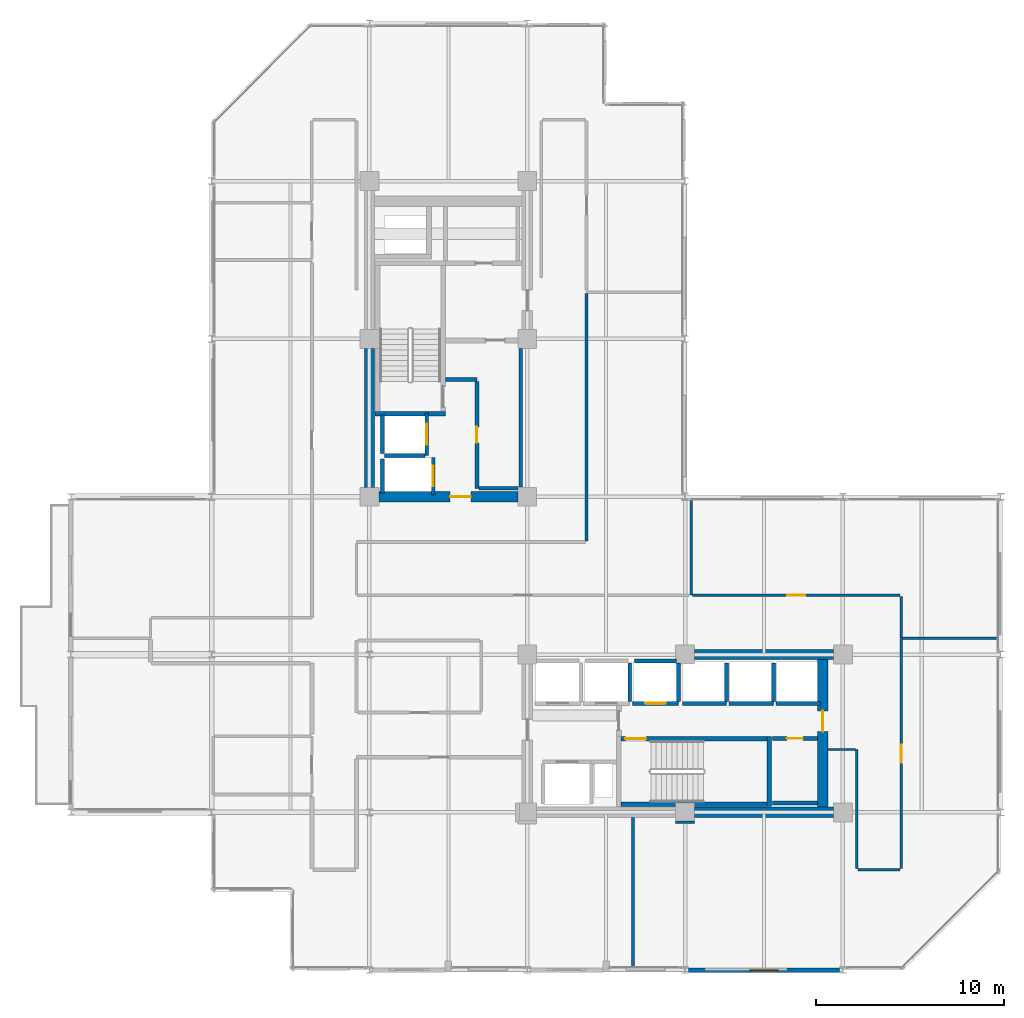
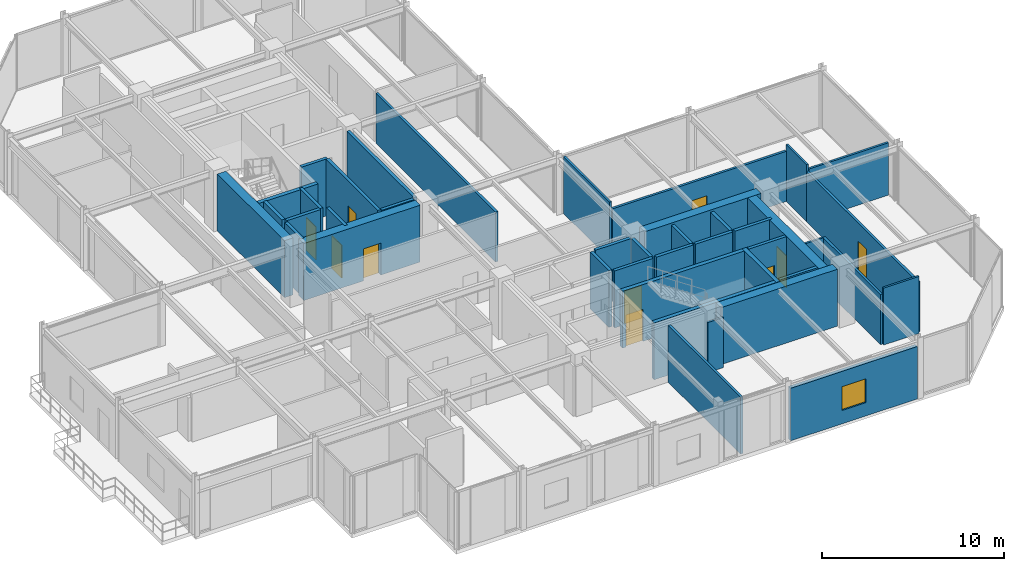
# One storey, part 25 of 29: 41 walls, 10 doors, 1 window, 11 openings.
"""IFC4 building model written with IfcOpenShell, lengths in metres."""

from ifc_helpers import new_model, si_unit, direction, frame, frame_2d, origin, place, context, subcontext, project, spatial, rectangle, extrude, material, layer, layer_set, type_object, element, fill, save


model = new_model("IFC4")

# Units and contexts
model_context = context("Model", 3, precision=1e-05, world=origin(), true_north=direction((0.0, 1.0)))
body_context = subcontext(model_context, "Body", "Model", "MODEL_VIEW")
ifc_project = project(units=[si_unit("LENGTHUNIT", "METRE"), si_unit("AREAUNIT", "SQUARE_METRE"), si_unit("VOLUMEUNIT", "CUBIC_METRE"), si_unit("PLANEANGLEUNIT", "RADIAN"), si_unit("MASSUNIT", "GRAM", prefix="KILO")], contexts=[model_context])

# Site, building, storey
site_placement = place(None, origin())
site = spatial("IfcSite", under=ifc_project, at=site_placement, CompositionType="ELEMENT")
building_placement = place(site_placement, origin())
building = spatial("IfcBuilding", under=site, at=building_placement, Name="Nerrivon Quay Data Exchange", CompositionType="ELEMENT")
storey_placement = place(building_placement, frame((0.0, 0.0, 200.10009765625)))
storey = spatial("IfcBuildingStorey", under=building, at=storey_placement, Name="L47", CompositionType="ELEMENT", Elevation=200.10009765625)

# Wall, opening, window
ifc_material_1 = material(Name="Architectural terracotta precast concrete N50 (50 MPa)", Category="masonry")
ifc_layer_1 = layer(ifc_material_1, 0.239990234375)
ifc_layer_set_1 = layer_set([ifc_layer_1], Name="Architectural terracotta precast concrete N50 (50 MPa)")
wall_type_1 = type_object("IfcWallType", Name="EW-PREC-240", PredefinedType="STANDARD", material=ifc_layer_set_1)
wall_1_placement = place(storey_placement, frame((33.425048828125, 0.0, 0.0), z_axis=(0.0, 0.0, 1.0), x_axis=(-1.0, 0.0, 0.0)))
wall_1 = element("IfcWall", 1, at=wall_1_placement, inside=storey, type_object=wall_type_1, Name="L47 Podium Precast Spandrel Wall 23", PredefinedType="STANDARD", context=body_context, shape_type="SweptSolid", body=[
    extrude(rectangle(XDim=8.050048828125, YDim=0.239990234375, at=frame_2d((4.02490234375, 0.0))), origin(), (0.0, 0.0, 1.0), 3.52490234375),
])
opening_1_placement = place(wall_1_placement, frame((3.27490234375, 0.0, 0.89990234375)))
opening_1 = element("IfcOpeningElement", 2, at=opening_1_placement, cuts=wall_1, Name="Opening WN4", PredefinedType="OPENING", context=body_context, shape_type="SweptSolid", body=[
    extrude(rectangle(XDim=1.5, YDim=1.60009765625, at=frame_2d((0.75, 0.800048828125))), frame((0.0, 0.1298828125, 0.0), z_axis=(0.0, -1.0, 0.0), x_axis=(1.0, 0.0, 0.0)), (0.0, 0.0, 1.0), 0.260009765625),
])
ifc_material_2 = material(Name="Double-glazed low-E solar control glass", Category="glass")
window_type = type_object("IfcWindowType", Name="WIN-W4-1500x1600", PartitioningType="SINGLE_PANEL", PredefinedType="WINDOW", material=ifc_material_2)
window_placement = place(opening_1_placement, origin())
window = element("IfcWindow", 3, at=window_placement, inside=storey, type_object=window_type, Name="L47 Solar Facade Window 23", OverallHeight=1.60009765625, OverallWidth=1.5, PartitioningType="SINGLE_PANEL", PredefinedType="WINDOW", context=body_context, shape_type="SweptSolid", body=[
    extrude(rectangle(XDim=1.5, YDim=1.60009765625, at=frame_2d((0.75, 0.800048828125))), frame((0.0, 0.030029296875, 0.0), z_axis=(0.0, -1.0, 0.0), x_axis=(1.0, 0.0, 0.0)), (0.0, 0.0, 1.0), 0.06005859375),
])
fill(opening_1, window)

# Wall
ifc_material_3 = material(Name="Concrete S65 (65 MPa)", Category="concrete")
ifc_layer_2 = layer(ifc_material_3, 0.550048828125)
ifc_layer_set_2 = layer_set([ifc_layer_2], Name="Concrete S65 (65 MPa)")
wall_type_2 = type_object("IfcWallType", Name="WALL-CW-700", PredefinedType="SHEAR", material=ifc_layer_set_2)
wall_2_placement = place(storey_placement, frame((8.39990234375, 25.699951171875, 0.0), z_axis=(0.0, 0.0, 1.0), x_axis=(0.0, 1.0, 0.0)))
element("IfcWall", 4, at=wall_2_placement, inside=storey, type_object=wall_type_2, Name="L47 West Split-Core Shear Wall WCW-W1", PredefinedType="SHEAR", context=body_context, shape_type="SweptSolid", body=[
    extrude(rectangle(XDim=7.400146484375, YDim=0.550048828125, at=frame_2d((3.7001953125, 0.0))), origin(), (0.0, 0.0, 1.0), 3.824951171875),
])

# Wall, opening, door
wall_3_placement = place(storey_placement, frame((8.89990234375, 25.199951171875, 0.0), z_axis=(0.0, 0.0, 1.0), x_axis=(1.0, 0.0, 0.0)))
wall_3 = element("IfcWall", 5, at=wall_3_placement, inside=storey, type_object=wall_type_2, Name="L47 West Split-Core Shear Wall WCW-S1", PredefinedType="SHEAR", context=body_context, shape_type="SweptSolid", body=[
    extrude(rectangle(XDim=7.400146484375, YDim=0.550048828125, at=frame_2d((3.7001953125, 0.0))), origin(), (0.0, 0.0, 1.0), 3.824951171875),
])
opening_2_placement = place(wall_3_placement, frame((3.800048828125, 0.0, 0.0)))
opening_2 = element("IfcOpeningElement", 6, at=opening_2_placement, cuts=wall_3, Name="Opening FD-120", PredefinedType="OPENING", context=body_context, shape_type="SweptSolid", body=[
    extrude(rectangle(XDim=1.10009765625, YDim=2.14990234375, at=frame_2d((0.550048828125, 1.074951171875))), frame((0.0, 0.284912109375, 0.0), z_axis=(0.0, -1.0, 0.0), x_axis=(1.0, 0.0, 0.0)), (0.0, 0.0, 1.0), 0.570068359375),
])
ifc_material_4 = material(Name="Powder-coated galvanized steel sheet", Category="steel")
door_type_1 = type_object("IfcDoorType", Name="DR-FD120-1100", OperationType="NOTDEFINED", PredefinedType="DOOR", material=ifc_material_4)
door_1_placement = place(opening_2_placement, origin())
door_1 = element("IfcDoor", 7, at=door_1_placement, inside=storey, type_object=door_type_1, Name="L47 West Core Lobby Fire Door", OperationType="SINGLE_SWING_RIGHT", OverallHeight=2.14990234375, OverallWidth=1.10009765625, PredefinedType="DOOR", context=body_context, shape_type="SweptSolid", body=[
    extrude(rectangle(XDim=1.10009765625, YDim=2.14990234375, at=frame_2d((0.550048828125, 1.074951171875))), frame((0.0, 0.02490234375, 0.0), z_axis=(0.0, -1.0, 0.0), x_axis=(1.0, 0.0, 0.0)), (0.0, 0.0, 1.0), 0.050048828125),
])
fill(opening_2, door_1)

# Wall
wall_4_placement = place(storey_placement, frame((25.699951171875, 8.39990234375, 0.0), z_axis=(0.0, 0.0, 1.0), x_axis=(1.0, 0.0, 0.0)))
element("IfcWall", 8, at=wall_4_placement, inside=storey, type_object=wall_type_2, Name="L47 East Split-Core Shear Wall ECW-S2", PredefinedType="SHEAR", context=body_context, shape_type="SweptSolid", body=[
    extrude(rectangle(XDim=7.400146484375, YDim=0.550048828125, at=frame_2d((3.7001953125, 0.0))), origin(), (0.0, 0.0, 1.0), 3.824951171875),
])

# Wall, opening, door
wall_5_placement = place(storey_placement, frame((32.52490234375, 8.675048828125, 0.0), z_axis=(0.0, 0.0, 1.0), x_axis=(0.0, 1.0, 0.0)))
wall_5 = element("IfcWall", 9, at=wall_5_placement, inside=storey, type_object=wall_type_2, Name="L47 East Split-Core Shear Wall ECW-E1", PredefinedType="SHEAR", context=body_context, shape_type="SweptSolid", body=[
    extrude(rectangle(XDim=7.849853515625, YDim=0.550048828125, at=frame_2d((3.9248046875, 0.0))), origin(), (0.0, 0.0, 1.0), 3.824951171875),
])
opening_3_placement = place(wall_5_placement, frame((4.02490234375, 0.0, 0.0)))
opening_3 = element("IfcOpeningElement", 10, at=opening_3_placement, cuts=wall_5, Name="Opening FD-120", PredefinedType="OPENING", context=body_context, shape_type="SweptSolid", body=[
    extrude(rectangle(XDim=1.10009765625, YDim=2.14990234375, at=frame_2d((0.550048828125, 1.074951171875))), frame((0.0, 0.284912109375, 0.0), z_axis=(0.0, -1.0, 0.0), x_axis=(1.0, 0.0, 0.0)), (0.0, 0.0, 1.0), 0.570068359375),
])
door_2_placement = place(opening_3_placement, origin())
door_2 = element("IfcDoor", 11, at=door_2_placement, inside=storey, type_object=door_type_1, Name="L47 East Core Lobby Fire Door", OperationType="SINGLE_SWING_LEFT", OverallHeight=2.14990234375, OverallWidth=1.10009765625, PredefinedType="DOOR", context=body_context, shape_type="SweptSolid", body=[
    extrude(rectangle(XDim=1.10009765625, YDim=2.14990234375, at=frame_2d((0.550048828125, 1.074951171875))), frame((0.0, 0.02490234375, 0.0), z_axis=(0.0, -1.0, 0.0), x_axis=(1.0, 0.0, 0.0)), (0.0, 0.0, 1.0), 0.050048828125),
])
fill(opening_3, door_2)

# Wall
wall_6_placement = place(storey_placement, frame((25.699951171875, 16.800048828125, 0.0), z_axis=(0.0, 0.0, 1.0), x_axis=(1.0, 0.0, 0.0)))
element("IfcWall", 12, at=wall_6_placement, inside=storey, type_object=wall_type_2, Name="L47 East Split-Core Shear Wall ECW-N1", PredefinedType="SHEAR", context=body_context, shape_type="SweptSolid", body=[
    extrude(rectangle(XDim=7.400146484375, YDim=0.550048828125, at=frame_2d((3.7001953125, 0.0))), origin(), (0.0, 0.0, 1.0), 3.824951171875),
])

# Wall, opening, door
ifc_material_5 = material(Name="Gypsum plasterboard on cold-formed framing", Category="gypsum")
ifc_layer_3 = layer(ifc_material_5, 0.199951171875)
ifc_layer_set_3 = layer_set([ifc_layer_3], Name="Gypsum plasterboard on cold-formed framing")
wall_type_3 = type_object("IfcWallType", Name="WALL-FW-200", PredefinedType="PARTITIONING", material=ifc_layer_set_3)
wall_7_placement = place(storey_placement, frame((11.449951171875, 27.39990234375, 0.0), z_axis=(0.0, 0.0, 1.0), x_axis=(0.0, 1.0, 0.0)))
wall_7 = element("IfcWall", 13, at=wall_7_placement, inside=storey, type_object=wall_type_3, Name="L47 Lift Front Wall FFL-1", PredefinedType="PARTITIONING", context=body_context, shape_type="SweptSolid", body=[
    extrude(rectangle(XDim=2.25, YDim=0.199951171875, at=frame_2d((1.125, 0.0))), origin(), (0.0, 0.0, 1.0), 3.824951171875),
])
opening_4_placement = place(wall_7_placement, frame((0.574951171875, 0.0, 0.0)))
opening_4 = element("IfcOpeningElement", 14, at=opening_4_placement, cuts=wall_7, Name="Opening LD-120", PredefinedType="OPENING", context=body_context, shape_type="SweptSolid", body=[
    extrude(rectangle(XDim=1.10009765625, YDim=2.199951171875, at=frame_2d((0.550048828125, 1.10009765625))), frame((0.0, 0.10986328125, 0.0), z_axis=(0.0, -1.0, 0.0), x_axis=(1.0, 0.0, 0.0)), (0.0, 0.0, 1.0), 0.219970703125),
])
door_type_2 = type_object("IfcDoorType", Name="DR-LIFT-LD120", OperationType="DOUBLE_DOOR_SLIDING", PredefinedType="DOOR", material=ifc_material_4)
door_3_placement = place(opening_4_placement, origin())
door_3 = element("IfcDoor", 15, at=door_3_placement, inside=storey, type_object=door_type_2, Name="L47 Lift Landing Sliding Door FFL-1", OperationType="DOUBLE_DOOR_SLIDING", OverallHeight=2.199951171875, OverallWidth=1.10009765625, PredefinedType="DOOR", context=body_context, shape_type="SweptSolid", body=[
    extrude(rectangle(XDim=1.10009765625, YDim=2.199951171875, at=frame_2d((0.550048828125, 1.10009765625))), frame((0.0, 0.02490234375, 0.0), z_axis=(0.0, -1.0, 0.0), x_axis=(1.0, 0.0, 0.0)), (0.0, 0.0, 1.0), 0.050048828125),
])
fill(opening_4, door_3)

# Walls
wall_8_placement = place(storey_placement, frame((9.10009765625, 27.5, 0.0), z_axis=(0.0, 0.0, 1.0), x_axis=(0.0, 1.0, 0.0)))
element("IfcWall", 16, at=wall_8_placement, inside=storey, type_object=wall_type_3, Name="L47 Lift Shaft Wall FFL-1 WEST", PredefinedType="PARTITIONING", context=body_context, shape_type="SweptSolid", body=[
    extrude(rectangle(XDim=2.050048828125, YDim=0.199951171875, at=frame_2d((1.02490234375, 0.0))), origin(), (0.0, 0.0, 1.0), 3.824951171875),
])
wall_9_placement = place(storey_placement, frame((9.199951171875, 27.39990234375, 0.0), z_axis=(0.0, 0.0, 1.0), x_axis=(1.0, 0.0, 0.0)))
element("IfcWall", 17, at=wall_9_placement, inside=storey, type_object=wall_type_3, Name="L47 Lift Shaft Wall FFL-1 SOUTH", PredefinedType="PARTITIONING", context=body_context, shape_type="SweptSolid", body=[
    extrude(rectangle(XDim=2.150146484375, YDim=0.199951171875, at=frame_2d((1.0751953125, 0.0))), origin(), (0.0, 0.0, 1.0), 3.824951171875),
])

# Wall, opening, door
wall_10_placement = place(storey_placement, frame((11.800048828125, 25.300048828125, 0.0), z_axis=(0.0, 0.0, 1.0), x_axis=(0.0, 1.0, 0.0)))
wall_10 = element("IfcWall", 18, at=wall_10_placement, inside=storey, type_object=wall_type_3, Name="L47 Lift Front Wall SVL-1", PredefinedType="PARTITIONING", context=body_context, shape_type="SweptSolid", body=[
    extrude(rectangle(XDim=2.0, YDim=0.199951171875, at=frame_2d((1.0, 0.0))), origin(), (0.0, 0.0, 1.0), 3.824951171875),
])
opening_5_placement = place(wall_10_placement, frame((0.449951171875, 0.0, 0.0)))
opening_5 = element("IfcOpeningElement", 19, at=opening_5_placement, cuts=wall_10, Name="Opening LD-120", PredefinedType="OPENING", context=body_context, shape_type="SweptSolid", body=[
    extrude(rectangle(XDim=1.10009765625, YDim=2.199951171875, at=frame_2d((0.550048828125, 1.10009765625))), frame((0.0, 0.10986328125, 0.0), z_axis=(0.0, -1.0, 0.0), x_axis=(1.0, 0.0, 0.0)), (0.0, 0.0, 1.0), 0.219970703125),
])
door_4_placement = place(opening_5_placement, origin())
door_4 = element("IfcDoor", 20, at=door_4_placement, inside=storey, type_object=door_type_2, Name="L47 Lift Landing Sliding Door SVL-1", OperationType="DOUBLE_DOOR_SLIDING", OverallHeight=2.199951171875, OverallWidth=1.10009765625, PredefinedType="DOOR", context=body_context, shape_type="SweptSolid", body=[
    extrude(rectangle(XDim=1.10009765625, YDim=2.199951171875, at=frame_2d((0.550048828125, 1.10009765625))), frame((0.0, 0.02490234375, 0.0), z_axis=(0.0, -1.0, 0.0), x_axis=(1.0, 0.0, 0.0)), (0.0, 0.0, 1.0), 0.050048828125),
])
fill(opening_5, door_4)

# Walls
wall_11_placement = place(storey_placement, frame((9.10009765625, 25.39990234375, 0.0), z_axis=(0.0, 0.0, 1.0), x_axis=(0.0, 1.0, 0.0)))
element("IfcWall", 21, at=wall_11_placement, inside=storey, type_object=wall_type_3, Name="L47 Lift Shaft Wall SVL-1 WEST", PredefinedType="PARTITIONING", context=body_context, shape_type="SweptSolid", body=[
    extrude(rectangle(XDim=1.800048828125, YDim=0.199951171875, at=frame_2d((0.89990234375, 0.0))), origin(), (0.0, 0.0, 1.0), 3.824951171875),
])
wall_12_placement = place(storey_placement, frame((22.25, 14.300048828125, 0.0), z_axis=(0.0, 0.0, 1.0), x_axis=(0.0, 1.0, 0.0)))
element("IfcWall", 22, at=wall_12_placement, inside=storey, type_object=wall_type_3, Name="L47 Lift Shaft Wall PL5 EAST", PredefinedType="PARTITIONING", context=body_context, shape_type="SweptSolid", body=[
    extrude(rectangle(XDim=2.050048828125, YDim=0.199951171875, at=frame_2d((1.02490234375, 0.0))), origin(), (0.0, 0.0, 1.0), 3.824951171875),
])

# Wall, opening, door
wall_13_placement = place(storey_placement, frame((22.39990234375, 14.199951171875, 0.0), z_axis=(0.0, 0.0, 1.0), x_axis=(1.0, 0.0, 0.0)))
wall_13 = element("IfcWall", 23, at=wall_13_placement, inside=storey, type_object=wall_type_3, Name="L47 Lift Front Wall PL6", PredefinedType="PARTITIONING", context=body_context, shape_type="SweptSolid", body=[
    extrude(rectangle(XDim=2.4501953125, YDim=0.199951171875, at=frame_2d((1.22509765625, 0.0))), origin(), (0.0, 0.0, 1.0), 3.824951171875),
])
opening_6_placement = place(wall_13_placement, frame((0.675048828125, 0.0, 0.0)))
opening_6 = element("IfcOpeningElement", 24, at=opening_6_placement, cuts=wall_13, Name="Opening LD-120", PredefinedType="OPENING", context=body_context, shape_type="SweptSolid", body=[
    extrude(rectangle(XDim=1.10009765625, YDim=2.199951171875, at=frame_2d((0.550048828125, 1.10009765625))), frame((0.0, 0.10986328125, 0.0), z_axis=(0.0, -1.0, 0.0), x_axis=(1.0, 0.0, 0.0)), (0.0, 0.0, 1.0), 0.219970703125),
])
door_5_placement = place(opening_6_placement, origin())
door_5 = element("IfcDoor", 25, at=door_5_placement, inside=storey, type_object=door_type_2, Name="L47 Lift Landing Sliding Door PL6", OperationType="DOUBLE_DOOR_SLIDING", OverallHeight=2.199951171875, OverallWidth=1.10009765625, PredefinedType="DOOR", context=body_context, shape_type="SweptSolid", body=[
    extrude(rectangle(XDim=1.10009765625, YDim=2.199951171875, at=frame_2d((0.550048828125, 1.10009765625))), frame((0.0, 0.02490234375, 0.0), z_axis=(0.0, -1.0, 0.0), x_axis=(1.0, 0.0, 0.0)), (0.0, 0.0, 1.0), 0.050048828125),
])
fill(opening_6, door_5)

# Walls
wall_14_placement = place(storey_placement, frame((24.85009765625, 14.300048828125, 0.0), z_axis=(0.0, 0.0, 1.0), x_axis=(0.0, 1.0, 0.0)))
element("IfcWall", 26, at=wall_14_placement, inside=storey, type_object=wall_type_3, Name="L47 Lift Shaft Wall PL6 EAST", PredefinedType="PARTITIONING", context=body_context, shape_type="SweptSolid", body=[
    extrude(rectangle(XDim=2.050048828125, YDim=0.199951171875, at=frame_2d((1.02490234375, 0.0))), origin(), (0.0, 0.0, 1.0), 3.824951171875),
])
wall_15_placement = place(storey_placement, frame((22.5, 16.449951171875, 0.0), z_axis=(0.0, 0.0, 1.0), x_axis=(1.0, 0.0, 0.0)))
element("IfcWall", 27, at=wall_15_placement, inside=storey, type_object=wall_type_3, Name="L47 Lift Shaft Wall PL6 NORTH", PredefinedType="PARTITIONING", context=body_context, shape_type="SweptSolid", body=[
    extrude(rectangle(XDim=2.25, YDim=0.199951171875, at=frame_2d((1.125, 0.0))), origin(), (0.0, 0.0, 1.0), 3.824951171875),
])
wall_16_placement = place(storey_placement, frame((25.050048828125, 14.199951171875, 0.0), z_axis=(0.0, 0.0, 1.0), x_axis=(1.0, 0.0, 0.0)))
element("IfcWall", 28, at=wall_16_placement, inside=storey, type_object=wall_type_3, Name="L47 Lift Front Wall PL7", PredefinedType="PARTITIONING", context=body_context, shape_type="SweptSolid", body=[
    extrude(rectangle(XDim=2.349853515625, YDim=0.199951171875, at=frame_2d((1.1748046875, 0.0))), origin(), (0.0, 0.0, 1.0), 3.824951171875),
])
wall_17_placement = place(storey_placement, frame((27.39990234375, 14.300048828125, 0.0), z_axis=(0.0, 0.0, 1.0), x_axis=(0.0, 1.0, 0.0)))
element("IfcWall", 29, at=wall_17_placement, inside=storey, type_object=wall_type_3, Name="L47 Lift Shaft Wall PL7 EAST", PredefinedType="PARTITIONING", context=body_context, shape_type="SweptSolid", body=[
    extrude(rectangle(XDim=2.050048828125, YDim=0.199951171875, at=frame_2d((1.02490234375, 0.0))), origin(), (0.0, 0.0, 1.0), 3.824951171875),
])
wall_18_placement = place(storey_placement, frame((27.550048828125, 14.199951171875, 0.0), z_axis=(0.0, 0.0, 1.0), x_axis=(1.0, 0.0, 0.0)))
element("IfcWall", 30, at=wall_18_placement, inside=storey, type_object=wall_type_3, Name="L47 Lift Front Wall PL8", PredefinedType="PARTITIONING", context=body_context, shape_type="SweptSolid", body=[
    extrude(rectangle(XDim=2.349853515625, YDim=0.199951171875, at=frame_2d((1.1748046875, 0.0))), origin(), (0.0, 0.0, 1.0), 3.824951171875),
])
wall_19_placement = place(storey_placement, frame((29.89990234375, 14.300048828125, 0.0), z_axis=(0.0, 0.0, 1.0), x_axis=(0.0, 1.0, 0.0)))
element("IfcWall", 31, at=wall_19_placement, inside=storey, type_object=wall_type_3, Name="L47 Lift Shaft Wall PL8 EAST", PredefinedType="PARTITIONING", context=body_context, shape_type="SweptSolid", body=[
    extrude(rectangle(XDim=2.050048828125, YDim=0.199951171875, at=frame_2d((1.02490234375, 0.0))), origin(), (0.0, 0.0, 1.0), 3.824951171875),
])
wall_20_placement = place(storey_placement, frame((30.050048828125, 14.199951171875, 0.0), z_axis=(0.0, 0.0, 1.0), x_axis=(1.0, 0.0, 0.0)))
element("IfcWall", 32, at=wall_20_placement, inside=storey, type_object=wall_type_3, Name="L47 Lift Front Wall PL9", PredefinedType="PARTITIONING", context=body_context, shape_type="SweptSolid", body=[
    extrude(rectangle(XDim=2.349853515625, YDim=0.199951171875, at=frame_2d((1.1748046875, 0.0))), origin(), (0.0, 0.0, 1.0), 3.824951171875),
])
wall_21_placement = place(storey_placement, frame((16.449951171875, 25.705078125, 0.0), z_axis=(0.0, 0.0, 1.0), x_axis=(0.0, 1.0, 0.0)))
element("IfcWall", 33, at=wall_21_placement, inside=storey, type_object=wall_type_3, Name="L47 Partition Telemetry Hub Closet", PredefinedType="PARTITIONING", context=body_context, shape_type="SweptSolid", body=[
    extrude(rectangle(XDim=7.389892578125, YDim=0.199951171875, at=frame_2d((3.69482421875, 0.0))), origin(), (0.0, 0.0, 1.0), 3.824951171875),
])
wall_22_placement = place(storey_placement, frame((12.4541015625, 31.43994140625, 0.0), z_axis=(0.0, 0.0, 1.0), x_axis=(1.0, 0.0, 0.0)))
element("IfcWall", 34, at=wall_22_placement, inside=storey, type_object=wall_type_3, Name="L47 Partition Telemetry Hub Closet", PredefinedType="PARTITIONING", context=body_context, shape_type="SweptSolid", body=[
    extrude(rectangle(XDim=1.666015625, YDim=0.199951171875, at=frame_2d((0.8330078125, 0.0))), origin(), (0.0, 0.0, 1.0), 3.824951171875),
])

# Wall, opening, door
wall_23_placement = place(storey_placement, frame((14.1201171875, 31.3359375, 0.0), z_axis=(0.0, 0.0, 1.0), x_axis=(0.0, -1.0, 0.0)))
wall_23 = element("IfcWall", 35, at=wall_23_placement, inside=storey, type_object=wall_type_3, Name="L47 Partition Telemetry Hub Closet", PredefinedType="PARTITIONING", context=body_context, shape_type="SweptSolid", body=[
    extrude(rectangle(XDim=5.68603515625, YDim=0.199951171875, at=frame_2d((2.843017578125, 0.0))), origin(), (0.0, 0.0, 1.0), 3.824951171875),
])
opening_7_placement = place(wall_23_placement, frame((2.41796875, 0.0, 0.0)))
opening_7 = element("IfcOpeningElement", 36, at=opening_7_placement, cuts=wall_23, Name="Opening FD-60S", PredefinedType="OPENING", context=body_context, shape_type="SweptSolid", body=[
    extrude(rectangle(XDim=0.85009765625, YDim=2.14990234375, at=frame_2d((0.425048828125, 1.074951171875))), frame((0.0, 0.10986328125, 0.0), z_axis=(0.0, -1.0, 0.0), x_axis=(1.0, 0.0, 0.0)), (0.0, 0.0, 1.0), 0.219970703125),
])
ifc_material_6 = material(Name="Engineered hardwood timber", Category="wood")
door_type_3 = type_object("IfcDoorType", Name="DR-FD60-850", OperationType="NOTDEFINED", PredefinedType="DOOR", material=ifc_material_6)
door_6_placement = place(opening_7_placement, origin())
door_6 = element("IfcDoor", 37, at=door_6_placement, inside=storey, type_object=door_type_3, Name="L47 Door Telemetry Hub Closet", OperationType="SINGLE_SWING_LEFT", OverallHeight=2.14990234375, OverallWidth=0.85009765625, PredefinedType="DOOR", context=body_context, shape_type="SweptSolid", body=[
    extrude(rectangle(XDim=0.85009765625, YDim=2.14990234375, at=frame_2d((0.425048828125, 1.074951171875))), frame((0.0, 0.02490234375, 0.0), z_axis=(0.0, -1.0, 0.0), x_axis=(1.0, 0.0, 0.0)), (0.0, 0.0, 1.0), 0.050048828125),
])
fill(opening_7, door_6)

# Wall
wall_24_placement = place(storey_placement, frame((14.22412109375, 25.64990234375, 0.0), z_axis=(0.0, 0.0, 1.0), x_axis=(1.0, 0.0, 0.0)))
element("IfcWall", 38, at=wall_24_placement, inside=storey, type_object=wall_type_3, Name="L47 Partition Telemetry Hub Closet", PredefinedType="PARTITIONING", context=body_context, shape_type="SweptSolid", body=[
    extrude(rectangle(XDim=2.07080078125, YDim=0.199951171875, at=frame_2d((1.035400390625, 0.0))), origin(), (0.0, 0.0, 1.0), 3.824951171875),
])

# Wall, opening, door
wall_25_placement = place(storey_placement, frame((32.24609375, 12.330078125, 0.0), z_axis=(0.0, 0.0, 1.0), x_axis=(-1.0, 0.0, 0.0)))
wall_25 = element("IfcWall", 39, at=wall_25_placement, inside=storey, type_object=wall_type_3, Name="L47 Partition East Telecom Closet", PredefinedType="PARTITIONING", context=body_context, shape_type="SweptSolid", body=[
    extrude(rectangle(XDim=2.39599609375, YDim=0.199951171875, at=frame_2d((1.197998046875, 0.0))), origin(), (0.0, 0.0, 1.0), 3.824951171875),
])
opening_8_placement = place(wall_25_placement, frame((0.77294921875, 0.0, 0.0)))
opening_8 = element("IfcOpeningElement", 40, at=opening_8_placement, cuts=wall_25, Name="Opening FD-60S", PredefinedType="OPENING", context=body_context, shape_type="SweptSolid", body=[
    extrude(rectangle(XDim=0.85009765625, YDim=2.14990234375, at=frame_2d((0.425048828125, 1.074951171875))), frame((0.0, 0.10986328125, 0.0), z_axis=(0.0, -1.0, 0.0), x_axis=(1.0, 0.0, 0.0)), (0.0, 0.0, 1.0), 0.219970703125),
])
door_7_placement = place(opening_8_placement, origin())
door_7 = element("IfcDoor", 41, at=door_7_placement, inside=storey, type_object=door_type_3, Name="L47 Door East Telecom Closet", OperationType="SINGLE_SWING_LEFT", OverallHeight=2.14990234375, OverallWidth=0.85009765625, PredefinedType="DOOR", context=body_context, shape_type="SweptSolid", body=[
    extrude(rectangle(XDim=0.85009765625, YDim=2.14990234375, at=frame_2d((0.425048828125, 1.074951171875))), frame((0.0, 0.02490234375, 0.0), z_axis=(0.0, -1.0, 0.0), x_axis=(1.0, 0.0, 0.0)), (0.0, 0.0, 1.0), 0.050048828125),
])
fill(opening_8, door_7)

# Walls
wall_26_placement = place(storey_placement, frame((29.85009765625, 8.89990234375, 0.0), z_axis=(0.0, 0.0, 1.0), x_axis=(1.0, 0.0, 0.0)))
element("IfcWall", 42, at=wall_26_placement, inside=storey, type_object=wall_type_3, Name="L47 Partition East Telecom Closet", PredefinedType="PARTITIONING", context=body_context, shape_type="SweptSolid", body=[
    extrude(rectangle(XDim=2.39599609375, YDim=0.199951171875, at=frame_2d((1.197998046875, 0.0))), origin(), (0.0, 0.0, 1.0), 3.824951171875),
])
ifc_layer_4 = layer(ifc_material_5, 0.1201171875)
ifc_layer_set_4 = layer_set([ifc_layer_4], Name="Gypsum plasterboard on cold-formed framing")
wall_type_4 = type_object("IfcWallType", Name="WALL-PT-120", PredefinedType="PARTITIONING", material=ifc_layer_set_4)
wall_27_placement = place(storey_placement, frame((36.7099609375, 19.89990234375, 0.0), z_axis=(0.0, 0.0, 1.0), x_axis=(0.0, -1.0, 0.0)))
element("IfcWall", 43, at=wall_27_placement, inside=storey, type_object=wall_type_4, Name="L47 Partition Shared Breakout Kitchenette", PredefinedType="PARTITIONING", context=body_context, shape_type="SweptSolid", body=[
    extrude(rectangle(XDim=2.22998046875, YDim=0.1201171875, at=frame_2d((1.114990234375, 0.0))), origin(), (0.0, 0.0, 1.0), 3.824951171875),
])
wall_28_placement = place(storey_placement, frame((25.703857421875, 7.88037109375, 0.0), z_axis=(0.0, 0.0, 1.0), x_axis=(-0.999999881717, -0.000486381265, 0.0)))
element("IfcWall", 44, at=wall_28_placement, inside=storey, type_object=wall_type_4, Name="L47 Partition Client Conference Room 1", PredefinedType="PARTITIONING", context=body_context, shape_type="SweptSolid", body=[
    extrude(rectangle(XDim=1.00390625, YDim=0.1201171875, at=frame_2d((0.501953125, 0.0))), origin(), (0.0, 0.0, 1.0), 3.370849609375),
])
wall_29_placement = place(storey_placement, frame((36.64990234375, 5.340087890625, 0.0), z_axis=(0.0, 0.0, 1.0), x_axis=(-1.0, 0.0, 0.0)))
element("IfcWall", 45, at=wall_29_placement, inside=storey, type_object=wall_type_4, Name="L47 Partition Client Conference Room 1", PredefinedType="PARTITIONING", context=body_context, shape_type="SweptSolid", body=[
    extrude(rectangle(XDim=2.25, YDim=0.1201171875, at=frame_2d((1.125, 0.0))), origin(), (0.0, 0.0, 1.0), 3.824951171875),
])
wall_30_placement = place(storey_placement, frame((34.260986328125, 11.739990234375, 0.0), z_axis=(0.0, 0.0, 1.0), x_axis=(-1.0, 0.0, 0.0)))
element("IfcWall", 46, at=wall_30_placement, inside=storey, type_object=wall_type_4, Name="L47 Partition Client Conference Room 1", PredefinedType="PARTITIONING", context=body_context, shape_type="SweptSolid", body=[
    extrude(rectangle(XDim=1.45703125, YDim=0.1201171875, at=frame_2d((0.728515625, 0.0))), origin(), (0.0, 0.0, 1.0), 3.370849609375),
])
ifc_layer_5 = layer(ifc_material_5, 0.135009765625)
ifc_layer_set_5 = layer_set([ifc_layer_5], Name="Gypsum plasterboard on cold-formed framing")
wall_type_5 = type_object("IfcWallType", Name="WALL-PT-135", PredefinedType="PARTITIONING", material=ifc_layer_set_5)
wall_31_placement = place(storey_placement, frame((36.77392578125, 17.669921875, 0.0), z_axis=(0.0, 0.0, 1.0), x_axis=(1.0, 0.0, 0.0)))
element("IfcWall", 47, at=wall_31_placement, inside=storey, type_object=wall_type_5, Name="L47 Partition Shared Breakout Kitchenette", PredefinedType="PARTITIONING", context=body_context, shape_type="SweptSolid", body=[
    extrude(rectangle(XDim=5.05712890625, YDim=0.135009765625, at=frame_2d((2.528564453125, 0.0))), origin(), (0.0, 0.0, 1.0), 3.517822265625),
])
wall_32_placement = place(storey_placement, frame((25.521484375, 25.031005859375, 0.0), z_axis=(0.0, 0.0, 1.0), x_axis=(0.0, -1.0, 0.0)))
element("IfcWall", 48, at=wall_32_placement, inside=storey, type_object=wall_type_5, Name="L47 Partition Shared Breakout Kitchenette", PredefinedType="PARTITIONING", context=body_context, shape_type="SweptSolid", body=[
    extrude(rectangle(XDim=5.071044921875, YDim=0.135009765625, at=frame_2d((2.53564453125, 0.0))), origin(), (0.0, 0.0, 1.0), 3.824951171875),
])

# Wall, opening, door
ifc_layer_6 = layer(ifc_material_5, 0.14990234375)
ifc_layer_set_6 = layer_set([ifc_layer_6], Name="Gypsum plasterboard on cold-formed framing")
wall_type_6 = type_object("IfcWallType", Name="WALL-PT-150", PredefinedType="PARTITIONING", material=ifc_layer_set_6)
wall_33_placement = place(storey_placement, frame((25.593017578125, 19.9599609375, 0.0), z_axis=(0.0, 0.0, 1.0), x_axis=(1.0, 0.0, 0.0)))
wall_33 = element("IfcWall", 49, at=wall_33_placement, inside=storey, type_object=wall_type_6, Name="L47 Partition Shared Breakout Kitchenette", PredefinedType="PARTITIONING", context=body_context, shape_type="SweptSolid", body=[
    extrude(rectangle(XDim=11.056884765625, YDim=0.14990234375, at=frame_2d((5.5283203125, 0.0))), origin(), (0.0, 0.0, 1.0), 3.370849609375),
])
opening_9_placement = place(wall_33_placement, frame((5.053466796875, 0.0, 0.0)))
opening_9 = element("IfcOpeningElement", 50, at=opening_9_placement, cuts=wall_33, Name="Opening D-01", PredefinedType="OPENING", context=body_context, shape_type="SweptSolid", body=[
    extrude(rectangle(XDim=0.949951171875, YDim=2.14990234375, at=frame_2d((0.47509765625, 1.074951171875))), frame((0.0, 0.0849609375, 0.0), z_axis=(0.0, -1.0, 0.0), x_axis=(1.0, 0.0, 0.0)), (0.0, 0.0, 1.0), 0.169921875),
])
door_type_4 = type_object("IfcDoorType", Name="DR-INT-950", OperationType="NOTDEFINED", PredefinedType="DOOR", material=ifc_material_6)
door_8_placement = place(opening_9_placement, origin())
door_8 = element("IfcDoor", 51, at=door_8_placement, inside=storey, type_object=door_type_4, Name="L47 Door Shared Breakout Kitchenette", OperationType="SINGLE_SWING_LEFT", OverallHeight=2.14990234375, OverallWidth=0.949951171875, PredefinedType="DOOR", context=body_context, shape_type="SweptSolid", body=[
    extrude(rectangle(XDim=0.949951171875, YDim=2.14990234375, at=frame_2d((0.47509765625, 1.074951171875))), frame((0.0, 0.02490234375, 0.0), z_axis=(0.0, -1.0, 0.0), x_axis=(1.0, 0.0, 0.0)), (0.0, 0.0, 1.0), 0.050048828125),
])
fill(opening_9, door_8)

# Walls
wall_34_placement = place(storey_placement, frame((19.9599609375, 36.0205078125, 0.0), z_axis=(0.0, 0.0, 1.0), x_axis=(0.0, -1.0, 0.0)))
element("IfcWall", 52, at=wall_34_placement, inside=storey, type_object=wall_type_6, Name="L47 Partition Staff Tea Pantry", PredefinedType="PARTITIONING", context=body_context, shape_type="SweptSolid", body=[
    extrude(rectangle(XDim=13.17041015625, YDim=0.14990234375, at=frame_2d((6.585205078125, 0.0))), origin(), (0.0, 0.0, 1.0), 3.364990234375),
])
wall_35_placement = place(storey_placement, frame((22.425537109375, 8.12109375, 0.0), z_axis=(0.0, 0.0, 1.0), x_axis=(0.0, -1.0, 0.0)))
element("IfcWall", 53, at=wall_35_placement, inside=storey, type_object=wall_type_6, Name="L47 Partition Client Conference Room 1", PredefinedType="PARTITIONING", context=body_context, shape_type="SweptSolid", body=[
    extrude(rectangle(XDim=7.9521484375, YDim=0.14990234375, at=frame_2d((3.97607421875, 0.0))), origin(), (0.0, 0.0, 1.0), 3.824951171875),
])

# Wall, opening, door
wall_36_placement = place(storey_placement, frame((36.7099609375, 17.64990234375, 0.0), z_axis=(0.0, 0.0, 1.0), x_axis=(0.0, -1.0, 0.0)))
wall_36 = element("IfcWall", 54, at=wall_36_placement, inside=storey, type_object=wall_type_6, Name="L47 Partition Client Conference Room 1", PredefinedType="PARTITIONING", context=body_context, shape_type="SweptSolid", body=[
    extrude(rectangle(XDim=12.25, YDim=0.14990234375, at=frame_2d((6.125, 0.0))), origin(), (0.0, 0.0, 1.0), 3.364990234375),
])
opening_10_placement = place(wall_36_placement, frame((5.64990234375, 0.0, 0.0)))
opening_10 = element("IfcOpeningElement", 55, at=opening_10_placement, cuts=wall_36, Name="Opening D-01", PredefinedType="OPENING", context=body_context, shape_type="SweptSolid", body=[
    extrude(rectangle(XDim=0.949951171875, YDim=2.14990234375, at=frame_2d((0.47509765625, 1.074951171875))), frame((0.0, 0.0849609375, 0.0), z_axis=(0.0, -1.0, 0.0), x_axis=(1.0, 0.0, 0.0)), (0.0, 0.0, 1.0), 0.169921875),
])
door_9_placement = place(opening_10_placement, origin())
door_9 = element("IfcDoor", 56, at=door_9_placement, inside=storey, type_object=door_type_4, Name="L47 Door Client Conference Room 1", OperationType="SINGLE_SWING_RIGHT", OverallHeight=2.14990234375, OverallWidth=0.949951171875, PredefinedType="DOOR", context=body_context, shape_type="SweptSolid", body=[
    extrude(rectangle(XDim=0.949951171875, YDim=2.14990234375, at=frame_2d((0.47509765625, 1.074951171875))), frame((0.0, 0.02490234375, 0.0), z_axis=(0.0, -1.0, 0.0), x_axis=(1.0, 0.0, 0.0)), (0.0, 0.0, 1.0), 0.050048828125),
])
fill(opening_10, door_9)

# Walls
wall_37_placement = place(storey_placement, frame((34.340087890625, 5.39990234375, 0.0), z_axis=(0.0, 0.0, 1.0), x_axis=(0.0, 1.0, 0.0)))
element("IfcWall", 57, at=wall_37_placement, inside=storey, type_object=wall_type_6, Name="L47 Partition Client Conference Room 1", PredefinedType="PARTITIONING", context=body_context, shape_type="SweptSolid", body=[
    extrude(rectangle(XDim=6.340087890625, YDim=0.14990234375, at=frame_2d((3.169921875, 0.0))), origin(), (0.0, 0.0, 1.0), 3.364990234375),
])
ifc_material_7 = material(Name="Concrete N50 (50 MPa)", Category="concrete")
ifc_layer_7 = layer(ifc_material_7, 0.25)
ifc_layer_set_7 = layer_set([ifc_layer_7], Name="Concrete N50 (50 MPa)")
wall_type_7 = type_object("IfcWallType", Name="WALL-SW-250", PredefinedType="SHEAR", material=ifc_layer_set_7)
for number, where, z_axis, x_axis, name in (
    (58, (12.449951171875, 29.625, 0.0), (0.0, 0.0, 1.0), (-1.0, 0.0, 0.0), "L47 ST01 Structural Stair Core Wall NEAR"),
    (59, (29.675048828125, 8.699951171875, 0.0), (0.0, 0.0, 1.0), (0.0, 1.0, 0.0), "L47 ST02 Structural Stair Core Wall FAR"),
):
    element("IfcWall", number, at=place(storey_placement, frame(where, z_axis=z_axis, x_axis=x_axis)), inside=storey, type_object=wall_type_7, Name=name, PredefinedType="SHEAR", context=body_context, shape_type="SweptSolid", body=[
        extrude(rectangle(XDim=3.75, YDim=0.25, at=frame_2d((1.875, 0.0))), origin(), (0.0, 0.0, 1.0), 3.824951171875),
    ])
wall_38_placement = place(storey_placement, frame((21.800048828125, 8.824951171875, 0.0), z_axis=(0.0, 0.0, 1.0), x_axis=(1.0, 0.0, 0.0)))
element("IfcWall", 60, at=wall_38_placement, inside=storey, type_object=wall_type_7, Name="L47 ST02 Structural Stair Core Wall LEFT", PredefinedType="SHEAR", context=body_context, shape_type="SweptSolid", body=[
    extrude(rectangle(XDim=7.75, YDim=0.25, at=frame_2d((3.875, 0.0))), origin(), (0.0, 0.0, 1.0), 3.824951171875),
])

# Wall, opening, door
wall_39_placement = place(storey_placement, frame((21.800048828125, 12.324951171875, 0.0), z_axis=(0.0, 0.0, 1.0), x_axis=(1.0, 0.0, 0.0)))
wall_39 = element("IfcWall", 61, at=wall_39_placement, inside=storey, type_object=wall_type_7, Name="L47 ST02 Structural Stair Core Wall RIGHT", PredefinedType="SHEAR", context=body_context, shape_type="SweptSolid", body=[
    extrude(rectangle(XDim=7.75, YDim=0.25, at=frame_2d((3.875, 0.0))), origin(), (0.0, 0.0, 1.0), 3.824951171875),
])
opening_11_placement = place(wall_39_placement, frame((0.219970703125, 0.0, 0.0)))
opening_11 = element("IfcOpeningElement", 62, at=opening_11_placement, cuts=wall_39, Name="Opening FD-120", PredefinedType="OPENING", context=body_context, shape_type="SweptSolid", body=[
    extrude(rectangle(XDim=1.10009765625, YDim=2.14990234375, at=frame_2d((0.550048828125, 1.074951171875))), frame((0.0, 0.135009765625, 0.0), z_axis=(0.0, -1.0, 0.0), x_axis=(1.0, 0.0, 0.0)), (0.0, 0.0, 1.0), 0.27001953125),
])
door_10_placement = place(opening_11_placement, origin())
door_10 = element("IfcDoor", 63, at=door_10_placement, inside=storey, type_object=door_type_1, Name="L47 Protected Stair Door ST02", OperationType="SINGLE_SWING_RIGHT", OverallHeight=2.14990234375, OverallWidth=1.10009765625, PredefinedType="DOOR", context=body_context, shape_type="SweptSolid", body=[
    extrude(rectangle(XDim=1.10009765625, YDim=2.14990234375, at=frame_2d((0.550048828125, 1.074951171875))), frame((0.0, 0.02490234375, 0.0), z_axis=(0.0, -1.0, 0.0), x_axis=(1.0, 0.0, 0.0)), (0.0, 0.0, 1.0), 0.050048828125),
])
fill(opening_11, door_10)

save(model, "model.ifc")
